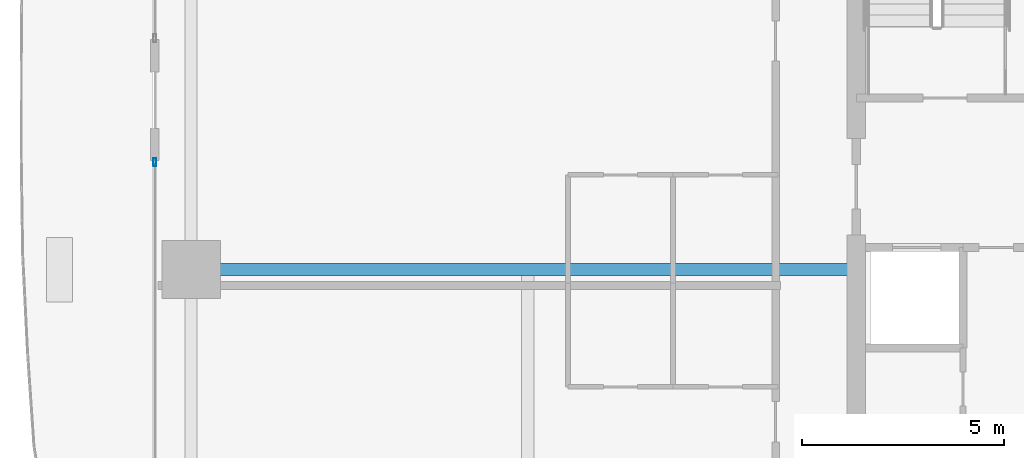
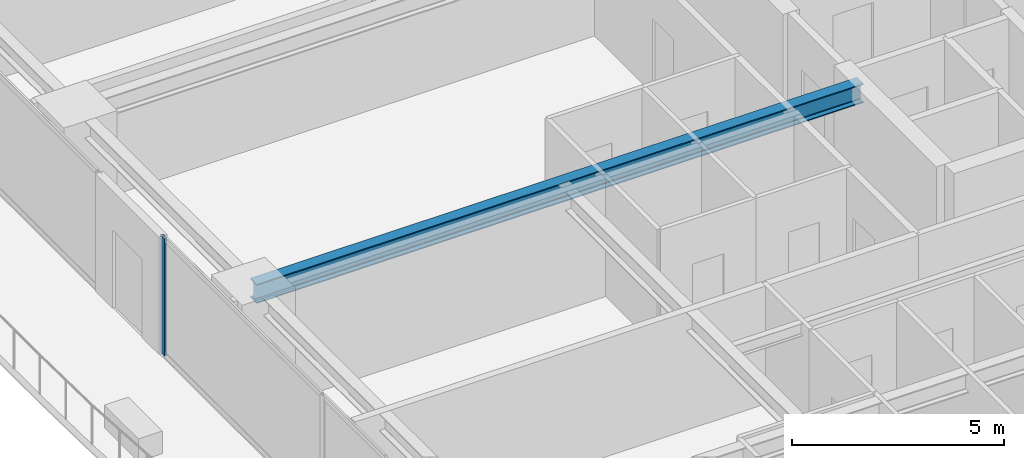
# One storey, part 8 of 40: 1 beam, 1 member, 1 element without a shape of its own.
"""IFC4 building model written with IfcOpenShell, lengths in metres."""

from ifc_helpers import new_model, si_unit, direction, frame, origin, origin_2d, place, context, subcontext, project, spatial, hollow_rectangle, i_section, extrude, source, transform, mapped, material, layer, layer_set, material_profile, profile_set, type_object, element, aggregate, save


model = new_model("IFC4")

# Units and contexts
model_context = context("Model", 3, precision=1e-05, world=origin(), true_north=direction((0.0, 1.0)))
body_context = subcontext(model_context, "Body", "Model", "MODEL_VIEW")
ifc_project = project(units=[si_unit("LENGTHUNIT", "METRE"), si_unit("AREAUNIT", "SQUARE_METRE"), si_unit("VOLUMEUNIT", "CUBIC_METRE"), si_unit("PLANEANGLEUNIT", "RADIAN"), si_unit("MASSUNIT", "GRAM", prefix="KILO")], contexts=[model_context])

# Site, building, storey
site_placement = place(None, origin())
site = spatial("IfcSite", under=ifc_project, at=site_placement, CompositionType="ELEMENT")
building_placement = place(site_placement, origin())
building = spatial("IfcBuilding", under=site, at=building_placement, Name="Serunith Strait Residences", CompositionType="ELEMENT")
storey_placement = place(building_placement, frame((0.0, 0.0, 105.449951171875)))
storey = spatial("IfcBuildingStorey", under=building, at=storey_placement, Name="L26", CompositionType="ELEMENT", Elevation=105.449951171875)

# Beam
ifc_material_1 = material(Name="Steel S355J2", Category="steel")
ifc_material_profile_1 = material_profile(ifc_material_1, i_section(OverallWidth=0.300048828125, OverallDepth=0.550048828125, WebThickness=0.014892578125, FlangeThickness=0.029052734375, FilletRadius=0.027099609375, at=origin_2d()), Name="HEB 550")
ifc_profile_set_1 = profile_set([ifc_material_profile_1], Name="Steel S355J2")
beam_type = type_object("IfcBeamType", Name="BM-HEB550", PredefinedType="BEAM", material=ifc_profile_set_1)
shared_shape_1 = source(origin(), body_context, "Body", "SweptSolid", [
    extrude(i_section(OverallWidth=0.300048828125, OverallDepth=0.550048828125, WebThickness=0.014892578125, FlangeThickness=0.029052734375, FilletRadius=0.027099609375, at=origin_2d()), origin(), (0.0, 0.0, 1.0), 16.5),
])
beam_placement = place(storey_placement, frame((23.39990234375, 21.0, 3.112060546875), z_axis=(-1.0, 0.0, 0.0), x_axis=(0.0, -1.0, 0.0)))
element("IfcBeam", 1, at=beam_placement, inside=storey, type_object=beam_type, Name="L26 Primary Floor Girder TC-W2", PredefinedType="BEAM", context=body_context, shape_type="MappedRepresentation", body=[
    mapped(shared_shape_1, transform((0.0, 0.0, 0.0), scale=1.0)),
])

# Curtain wall, member
ifc_material_2 = material(Name="Pale-Champagne Anodised Aluminium", Category="aluminium")
ifc_layer = layer(ifc_material_2, 0.199951171875, Name="Pale-Champagne Anodised Aluminium")
ifc_layer_set = layer_set([ifc_layer], Name="Pale-Champagne Anodised Aluminium")
curtain_wall_type = type_object("IfcCurtainWallType", Name="CW-SYS1", PredefinedType="NOTDEFINED", material=ifc_layer_set)
curtain_wall_placement = place(storey_placement, origin())
curtain_wall = element("IfcCurtainWall", 2, at=curtain_wall_placement, inside=storey, type_object=curtain_wall_type, Name="L26 W Unitised Fritted Curtain Wall", PredefinedType="NOTDEFINED")
ifc_material_profile_2 = material_profile(ifc_material_2, hollow_rectangle(XDim=0.070068359375, YDim=0.199951171875, WallThickness=0.00390625, InnerFilletRadius=0.006103515625, OuterFilletRadius=0.010009765625, at=origin_2d()), Name="ALU 200x70x4")
ifc_profile_set_2 = profile_set([ifc_material_profile_2], Name="Pale-Champagne Anodised Aluminium")
member_type = type_object("IfcMemberType", Name="CW-SYS1-MULL", PredefinedType="MULLION", material=ifc_profile_set_2)
shared_shape_2 = source(origin(), body_context, "Body", "SweptSolid", [
    extrude(hollow_rectangle(XDim=0.070068359375, YDim=0.199951171875, WallThickness=0.00390625, InnerFilletRadius=0.006103515625, OuterFilletRadius=0.010009765625, at=origin_2d()), origin(), (0.0, 0.0, 1.0), 3.375),
])
member_placement = place(storey_placement, frame((6.0, 23.6650390625, 0.0), z_axis=(0.0, 0.0, 1.0), x_axis=(1.0, 0.0, 0.0)))
member = element("IfcMember", 3, at=member_placement, type_object=member_type, Name="CW-1 mullion 1", PredefinedType="MULLION", context=body_context, shape_type="MappedRepresentation", body=[
    mapped(shared_shape_2, transform((0.0, 0.0, 0.0), scale=1.0)),
])
aggregate(curtain_wall, [member])

save(model, "model.ifc")
